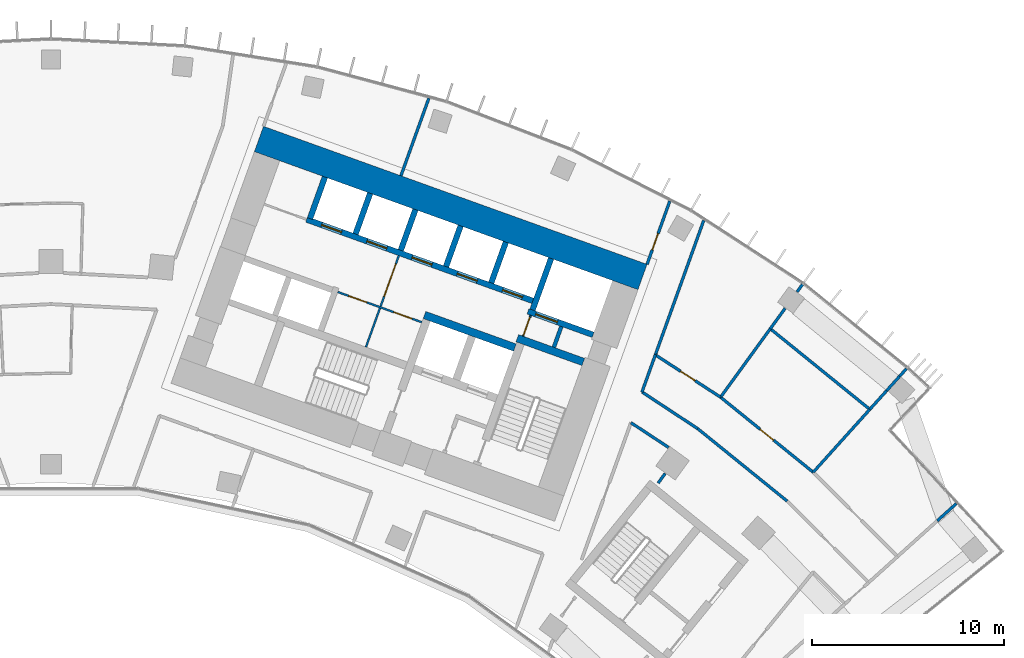
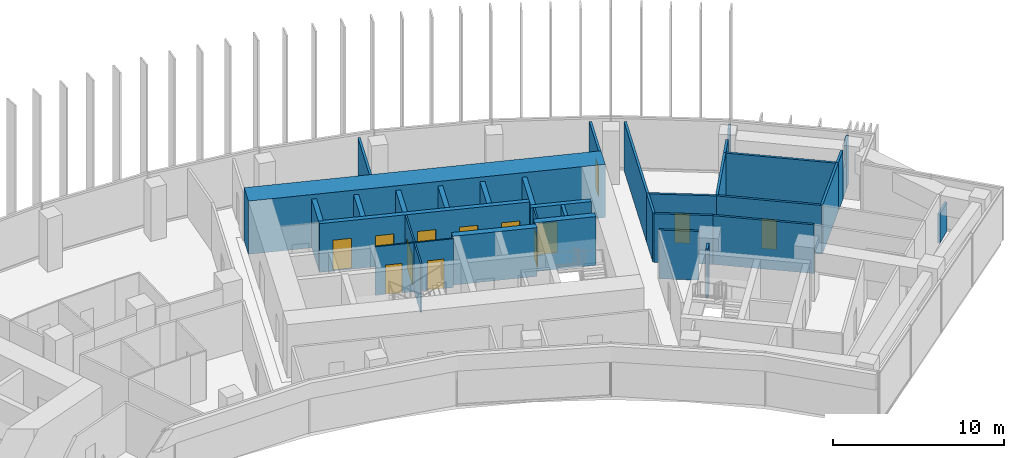
# One storey, part 20 of 23: 34 walls, 13 doors, 13 openings.
"""IFC4 building model written with IfcOpenShell, lengths in metres."""

from ifc_helpers import new_model, si_unit, direction, frame, frame_2d, origin, place, context, subcontext, project, spatial, rectangle, extrude, material, layer, layer_set, type_object, element, fill, save


model = new_model("IFC4")

# Units and contexts
model_context = context("Model", 3, precision=1e-05, world=origin(), true_north=direction((0.0, 1.0)))
body_context = subcontext(model_context, "Body", "Model", "MODEL_VIEW")
ifc_project = project(units=[si_unit("LENGTHUNIT", "METRE"), si_unit("AREAUNIT", "SQUARE_METRE"), si_unit("VOLUMEUNIT", "CUBIC_METRE"), si_unit("PLANEANGLEUNIT", "RADIAN"), si_unit("MASSUNIT", "GRAM", prefix="KILO")], contexts=[model_context])

# Site, building, storey
site_placement = place(None, origin())
site = spatial("IfcSite", under=ifc_project, at=site_placement, CompositionType="ELEMENT")
building_placement = place(site_placement, origin())
building = spatial("IfcBuilding", under=site, at=building_placement, Name="Stone Belt Terrace Tower", CompositionType="ELEMENT")
storey_placement = place(building_placement, frame((0.0, 0.0, 166.800048828125)))
storey = spatial("IfcBuildingStorey", under=building, at=storey_placement, Name="L40", CompositionType="ELEMENT", Elevation=166.800048828125)

# Wall, opening, door
ifc_material_1 = material(Name="Plasterboard partition")
ifc_layer_1 = layer(ifc_material_1, 0.10009765625)
ifc_layer_set_1 = layer_set([ifc_layer_1], Name="Core partition 100")
wall_type_1 = type_object("IfcWallType", Name="Core partition 100", PredefinedType="PARTITIONING", material=ifc_layer_set_1)
wall_1_placement = place(storey_placement, frame((24.555908203125, 51.10400390625, 0.0), z_axis=(0.0, 0.0, 1.0), x_axis=(0.338621735342, 0.94092258999, 0.0)))
wall_1 = element("IfcWall", 1, at=wall_1_placement, inside=storey, type_object=wall_type_1, Name="Core B wall", PredefinedType="PARTITIONING", context=body_context, shape_type="SweptSolid", body=[
    extrude(rectangle(XDim=1.14990234375, YDim=0.10009765625, at=frame_2d((0.574951171875, 0.0))), origin(), (0.0, 0.0, 1.0), 3.47998046875),
])
opening_1_placement = place(wall_1_placement, frame((0.050048828125, 0.0, 0.0)))
opening_1 = element("IfcOpeningElement", 2, at=opening_1_placement, cuts=wall_1, Name="Opening L40-C18", PredefinedType="OPENING", context=body_context, shape_type="SweptSolid", body=[
    extrude(rectangle(XDim=1.0, YDim=2.10009765625, at=frame_2d((0.5, 1.050048828125))), frame((0.0, 0.06005859375, 0.0), z_axis=(0.0, -1.0, 0.0), x_axis=(1.0, 0.0, 0.0)), (0.0, 0.0, 1.0), 0.1201171875),
])
ifc_material_2 = material(Name="Timber door leaf", Category="wood")
door_type_1 = type_object("IfcDoorType", Name="Core room door 1000", OperationType="SINGLE_SWING_LEFT", PredefinedType="DOOR", material=ifc_material_2)
door_1_placement = place(opening_1_placement, origin())
door_1 = element("IfcDoor", 3, at=door_1_placement, inside=storey, type_object=door_type_1, Name="Service lift lobby door core B", OperationType="SINGLE_SWING_RIGHT", OverallHeight=2.10009765625, OverallWidth=1.0, PredefinedType="DOOR", context=body_context, shape_type="SweptSolid", body=[
    extrude(rectangle(XDim=1.0, YDim=2.10009765625, at=frame_2d((0.5, 1.050048828125))), frame((0.0, 0.02490234375, 0.0), z_axis=(0.0, -1.0, 0.0), x_axis=(1.0, 0.0, 0.0)), (0.0, 0.0, 1.0), 0.050048828125),
])
fill(opening_1, door_1)

# Wall, openings, doors
wall_2_placement = place(storey_placement, frame((19.29052734375, 51.829833984375, 0.0), z_axis=(0.0, 0.0, 1.0), x_axis=(-0.940930240745, 0.338600475563, 0.0)))
wall_2 = element("IfcWall", 4, at=wall_2_placement, inside=storey, type_object=wall_type_1, Name="Core B wall", PredefinedType="PARTITIONING", context=body_context, shape_type="SweptSolid", body=[
    extrude(rectangle(XDim=4.64990234375, YDim=0.10009765625, at=frame_2d((2.324951171875, 0.0))), origin(), (0.0, 0.0, 1.0), 3.47998046875),
])
opening_2_placement = place(wall_2_placement, frame((0.550048828125, 0.0, 0.0)))
opening_2 = element("IfcOpeningElement", 5, at=opening_2_placement, cuts=wall_2, Name="Opening L40-C15", PredefinedType="OPENING", context=body_context, shape_type="SweptSolid", body=[
    extrude(rectangle(XDim=1.0, YDim=2.10009765625, at=frame_2d((0.5, 1.050048828125))), frame((0.0, 0.06005859375, 0.0), z_axis=(0.0, -1.0, 0.0), x_axis=(1.0, 0.0, 0.0)), (0.0, 0.0, 1.0), 0.1201171875),
])
opening_3_placement = place(wall_2_placement, frame((3.050048828125, 0.0, 0.0)))
opening_3 = element("IfcOpeningElement", 6, at=opening_3_placement, cuts=wall_2, Name="Opening L40-C16", PredefinedType="OPENING", context=body_context, shape_type="SweptSolid", body=[
    extrude(rectangle(XDim=1.0, YDim=2.10009765625, at=frame_2d((0.5, 1.050048828125))), frame((0.0, 0.06005859375, 0.0), z_axis=(0.0, -1.0, 0.0), x_axis=(1.0, 0.0, 0.0)), (0.0, 0.0, 1.0), 0.1201171875),
])
door_2_placement = place(opening_2_placement, origin())
door_2 = element("IfcDoor", 7, at=door_2_placement, inside=storey, type_object=door_type_1, Name="Door to Meeting store core B", OperationType="SINGLE_SWING_RIGHT", OverallHeight=2.10009765625, OverallWidth=1.0, PredefinedType="DOOR", context=body_context, shape_type="SweptSolid", body=[
    extrude(rectangle(XDim=1.0, YDim=2.10009765625, at=frame_2d((0.5, 1.050048828125))), frame((0.0, 0.02490234375, 0.0), z_axis=(0.0, -1.0, 0.0), x_axis=(1.0, 0.0, 0.0)), (0.0, 0.0, 1.0), 0.050048828125),
])
fill(opening_2, door_2)
door_3_placement = place(opening_3_placement, origin())
door_3 = element("IfcDoor", 8, at=door_3_placement, inside=storey, type_object=door_type_1, Name="Door to Staff pantry core B", OperationType="SINGLE_SWING_LEFT", OverallHeight=2.10009765625, OverallWidth=1.0, PredefinedType="DOOR", context=body_context, shape_type="SweptSolid", body=[
    extrude(rectangle(XDim=1.0, YDim=2.10009765625, at=frame_2d((0.5, 1.050048828125))), frame((0.0, 0.02490234375, 0.0), z_axis=(0.0, -1.0, 0.0), x_axis=(1.0, 0.0, 0.0)), (0.0, 0.0, 1.0), 0.050048828125),
])
fill(opening_3, door_3)

# Wall, opening, door
wall_3_placement = place(storey_placement, frame((16.38134765625, 50.53857421875, 0.0), z_axis=(0.0, 0.0, 1.0), x_axis=(0.33860476744, 0.940928696271, 0.0)))
wall_3 = element("IfcWall", 9, at=wall_3_placement, inside=storey, type_object=wall_type_1, Name="Core B wall", PredefinedType="PARTITIONING", context=body_context, shape_type="SweptSolid", body=[
    extrude(rectangle(XDim=5.050048828125, YDim=0.10009765625, at=frame_2d((2.52490234375, 0.0))), origin(), (0.0, 0.0, 1.0), 3.47998046875),
])
opening_4_placement = place(wall_3_placement, frame((2.800048828125, 0.0, 0.0)))
opening_4 = element("IfcOpeningElement", 10, at=opening_4_placement, cuts=wall_3, Name="Opening L40-C19", PredefinedType="OPENING", context=body_context, shape_type="SweptSolid", body=[
    extrude(rectangle(XDim=1.800048828125, YDim=2.10009765625, at=frame_2d((0.89990234375, 1.050048828125))), frame((0.0, 0.06005859375, 0.0), z_axis=(0.0, -1.0, 0.0), x_axis=(1.0, 0.0, 0.0)), (0.0, 0.0, 1.0), 0.1201171875),
])
ifc_material_3 = material(Name="Glazed aluminium door leaf", Category="aluminium")
door_type_2 = type_object("IfcDoorType", Name="Lift lobby entrance door 1800", OperationType="DOUBLE_DOOR_SINGLE_SWING", PredefinedType="DOOR", material=ifc_material_3)
door_4_placement = place(opening_4_placement, origin())
door_4 = element("IfcDoor", 11, at=door_4_placement, inside=storey, type_object=door_type_2, Name="Lift lobby double door core B", OperationType="DOUBLE_DOOR_SINGLE_SWING", OverallHeight=2.10009765625, OverallWidth=1.800048828125, PredefinedType="DOOR", context=body_context, shape_type="SweptSolid", body=[
    extrude(rectangle(XDim=1.800048828125, YDim=2.10009765625, at=frame_2d((0.89990234375, 1.050048828125))), frame((0.0, 0.02490234375, 0.0), z_axis=(0.0, -1.0, 0.0), x_axis=(1.0, 0.0, 0.0)), (0.0, 0.0, 1.0), 0.050048828125),
])
fill(opening_4, door_4)

# Walls
ifc_material_4 = material(Name="Concrete B80", Category="concrete")
ifc_layer_2 = layer(ifc_material_4, 1.39990234375)
ifc_layer_set_2 = layer_set([ifc_layer_2], Name="Core wall 1400 B80")
wall_type_2 = type_object("IfcWallType", Name="Core wall 1400 B80", PredefinedType="SHEAR", material=ifc_layer_set_2)
wall_4_placement = place(storey_placement, frame((10.81787109375, 61.362060546875, 0.0), z_axis=(0.0, 0.0, 1.0), x_axis=(0.940919704758, -0.338629752382, 0.0)))
element("IfcWall", 12, at=wall_4_placement, inside=storey, type_object=wall_type_2, Name="Core B wall convex L40", PredefinedType="SHEAR", context=body_context, shape_type="SweptSolid", body=[
    extrude(rectangle(XDim=21.199951171875, YDim=1.39990234375, at=frame_2d((10.60009765625, 0.0))), origin(), (0.0, 0.0, 1.0), 3.800048828125),
])
ifc_layer_3 = layer(ifc_material_4, 0.39990234375)
ifc_layer_set_3 = layer_set([ifc_layer_3], Name="Fire-fighting lift shaft wall 400")
wall_type_3 = type_object("IfcWallType", Name="Fire-fighting lift shaft wall 400", PredefinedType="SHEAR", material=ifc_layer_set_3)
wall_5_placement = place(storey_placement, frame((24.130615234375, 50.512939453125, 0.0), z_axis=(0.0, 0.0, 1.0), x_axis=(-0.94091168377, 0.338652038744, 0.0)))
element("IfcWall", 13, at=wall_5_placement, inside=storey, type_object=wall_type_3, Name="Core B wall", PredefinedType="SHEAR", context=body_context, shape_type="SweptSolid", body=[
    extrude(rectangle(XDim=5.000244140625, YDim=0.39990234375, at=frame_2d((2.5, 0.0))), origin(), (0.0, 0.0, 1.0), 3.47998046875),
])

# Wall, opening, door
ifc_layer_4 = layer(ifc_material_4, 0.300048828125)
ifc_layer_set_4 = layer_set([ifc_layer_4], Name="Lift shaft wall 300")
wall_type_4 = type_object("IfcWallType", Name="Lift shaft wall 300", PredefinedType="SHEAR", material=ifc_layer_set_4)
wall_6_placement = place(storey_placement, frame((28.195068359375, 51.17578125, 0.0), z_axis=(0.0, 0.0, 1.0), x_axis=(-0.940901243567, 0.338681044427, 0.0)))
wall_6 = element("IfcWall", 14, at=wall_6_placement, inside=storey, type_object=wall_type_4, Name="Core B wall", PredefinedType="SHEAR", context=body_context, shape_type="SweptSolid", body=[
    extrude(rectangle(XDim=3.599853515625, YDim=0.300048828125, at=frame_2d((1.7998046875, 0.0))), origin(), (0.0, 0.0, 1.0), 3.47998046875),
])
opening_5_placement = place(wall_6_placement, frame((1.969970703125, 0.0, 0.0)))
opening_5 = element("IfcOpeningElement", 15, at=opening_5_placement, cuts=wall_6, Name="Opening L40-LD16", PredefinedType="OPENING", context=body_context, shape_type="SweptSolid", body=[
    extrude(rectangle(XDim=1.199951171875, YDim=2.199951171875, at=frame_2d((0.60009765625, 1.10009765625))), frame((0.0, 0.159912109375, 0.0), z_axis=(0.0, -1.0, 0.0), x_axis=(1.0, 0.0, 0.0)), (0.0, 0.0, 1.0), 0.320068359375),
])
ifc_material_5 = material(Name="Stainless steel door leaf", Category="steel")
door_type_3 = type_object("IfcDoorType", Name="Landing door 1200", OperationType="SLIDING_TO_LEFT", PredefinedType="DOOR", material=ifc_material_5)
door_5_placement = place(opening_5_placement, origin())
door_5 = element("IfcDoor", 16, at=door_5_placement, inside=storey, type_object=door_type_3, Name="Landing door SV1 core B", OperationType="SLIDING_TO_LEFT", OverallHeight=2.199951171875, OverallWidth=1.199951171875, PredefinedType="DOOR", context=body_context, shape_type="SweptSolid", body=[
    extrude(rectangle(XDim=1.199951171875, YDim=2.199951171875, at=frame_2d((0.60009765625, 1.10009765625))), frame((0.0, 0.02490234375, 0.0), z_axis=(0.0, -1.0, 0.0), x_axis=(1.0, 0.0, 0.0)), (0.0, 0.0, 1.0), 0.050048828125),
])
fill(opening_5, door_5)

# Wall
wall_7_placement = place(storey_placement, frame((25.046875, 52.46826171875, 0.0), z_axis=(0.0, 0.0, 1.0), x_axis=(0.338549588058, 0.940948551423, 0.0)))
element("IfcWall", 17, at=wall_7_placement, inside=storey, type_object=wall_type_4, Name="Core B wall", PredefinedType="SHEAR", context=body_context, shape_type="SweptSolid", body=[
    extrude(rectangle(XDim=2.849853515625, YDim=0.300048828125, at=frame_2d((1.4248046875, 0.0))), origin(), (0.0, 0.0, 1.0), 3.47998046875),
])

# Wall, openings, doors
wall_8_placement = place(storey_placement, frame((25.05810546875, 52.9423828125, 0.0), z_axis=(0.0, 0.0, 1.0), x_axis=(-0.940920770291, 0.338626791666, 0.0)))
wall_8 = element("IfcWall", 18, at=wall_8_placement, inside=storey, type_object=wall_type_4, Name="Core B wall", PredefinedType="SHEAR", context=body_context, shape_type="SweptSolid", body=[
    extrude(rectangle(XDim=12.500244140625, YDim=0.300048828125, at=frame_2d((6.25, 0.0))), origin(), (0.0, 0.0, 1.0), 3.47998046875),
])
opening_6_placement = place(wall_8_placement, frame((0.570068359375, 0.0, 0.0)))
opening_6 = element("IfcOpeningElement", 19, at=opening_6_placement, cuts=wall_8, Name="Opening L40-LD09", PredefinedType="OPENING", context=body_context, shape_type="SweptSolid", body=[
    extrude(rectangle(XDim=1.10009765625, YDim=2.199951171875, at=frame_2d((0.550048828125, 1.10009765625))), frame((0.0, 0.159912109375, 0.0), z_axis=(0.0, -1.0, 0.0), x_axis=(1.0, 0.0, 0.0)), (0.0, 0.0, 1.0), 0.320068359375),
])
opening_7_placement = place(wall_8_placement, frame((3.070068359375, 0.0, 0.0)))
opening_7 = element("IfcOpeningElement", 20, at=opening_7_placement, cuts=wall_8, Name="Opening L40-LD10", PredefinedType="OPENING", context=body_context, shape_type="SweptSolid", body=[
    extrude(rectangle(XDim=1.10009765625, YDim=2.199951171875, at=frame_2d((0.550048828125, 1.10009765625))), frame((0.0, 0.159912109375, 0.0), z_axis=(0.0, -1.0, 0.0), x_axis=(1.0, 0.0, 0.0)), (0.0, 0.0, 1.0), 0.320068359375),
])
opening_8_placement = place(wall_8_placement, frame((5.570068359375, 0.0, 0.0)))
opening_8 = element("IfcOpeningElement", 21, at=opening_8_placement, cuts=wall_8, Name="Opening L40-LD11", PredefinedType="OPENING", context=body_context, shape_type="SweptSolid", body=[
    extrude(rectangle(XDim=1.10009765625, YDim=2.199951171875, at=frame_2d((0.550048828125, 1.10009765625))), frame((0.0, 0.159912109375, 0.0), z_axis=(0.0, -1.0, 0.0), x_axis=(1.0, 0.0, 0.0)), (0.0, 0.0, 1.0), 0.320068359375),
])
opening_9_placement = place(wall_8_placement, frame((8.070068359375, 0.0, 0.0)))
opening_9 = element("IfcOpeningElement", 22, at=opening_9_placement, cuts=wall_8, Name="Opening L40-LD12", PredefinedType="OPENING", context=body_context, shape_type="SweptSolid", body=[
    extrude(rectangle(XDim=1.10009765625, YDim=2.199951171875, at=frame_2d((0.550048828125, 1.10009765625))), frame((0.0, 0.159912109375, 0.0), z_axis=(0.0, -1.0, 0.0), x_axis=(1.0, 0.0, 0.0)), (0.0, 0.0, 1.0), 0.320068359375),
])
opening_10_placement = place(wall_8_placement, frame((10.570068359375, 0.0, 0.0)))
opening_10 = element("IfcOpeningElement", 23, at=opening_10_placement, cuts=wall_8, Name="Opening L40-LD13", PredefinedType="OPENING", context=body_context, shape_type="SweptSolid", body=[
    extrude(rectangle(XDim=1.10009765625, YDim=2.199951171875, at=frame_2d((0.550048828125, 1.10009765625))), frame((0.0, 0.159912109375, 0.0), z_axis=(0.0, -1.0, 0.0), x_axis=(1.0, 0.0, 0.0)), (0.0, 0.0, 1.0), 0.320068359375),
])
door_type_4 = type_object("IfcDoorType", Name="Landing door 1100", OperationType="SLIDING_TO_LEFT", PredefinedType="DOOR", material=ifc_material_5)
door_6_placement = place(opening_6_placement, origin())
door_6 = element("IfcDoor", 24, at=door_6_placement, inside=storey, type_object=door_type_4, Name="Landing door MR1 core B", OperationType="SLIDING_TO_LEFT", OverallHeight=2.199951171875, OverallWidth=1.10009765625, PredefinedType="DOOR", context=body_context, shape_type="SweptSolid", body=[
    extrude(rectangle(XDim=1.10009765625, YDim=2.199951171875, at=frame_2d((0.550048828125, 1.10009765625))), frame((0.0, 0.02490234375, 0.0), z_axis=(0.0, -1.0, 0.0), x_axis=(1.0, 0.0, 0.0)), (0.0, 0.0, 1.0), 0.050048828125),
])
fill(opening_6, door_6)
door_7_placement = place(opening_7_placement, origin())
door_7 = element("IfcDoor", 25, at=door_7_placement, inside=storey, type_object=door_type_4, Name="Landing door MR2 core B", OperationType="SLIDING_TO_LEFT", OverallHeight=2.199951171875, OverallWidth=1.10009765625, PredefinedType="DOOR", context=body_context, shape_type="SweptSolid", body=[
    extrude(rectangle(XDim=1.10009765625, YDim=2.199951171875, at=frame_2d((0.550048828125, 1.10009765625))), frame((0.0, 0.02490234375, 0.0), z_axis=(0.0, -1.0, 0.0), x_axis=(1.0, 0.0, 0.0)), (0.0, 0.0, 1.0), 0.050048828125),
])
fill(opening_7, door_7)
door_8_placement = place(opening_8_placement, origin())
door_8 = element("IfcDoor", 26, at=door_8_placement, inside=storey, type_object=door_type_4, Name="Landing door MR3 core B", OperationType="SLIDING_TO_LEFT", OverallHeight=2.199951171875, OverallWidth=1.10009765625, PredefinedType="DOOR", context=body_context, shape_type="SweptSolid", body=[
    extrude(rectangle(XDim=1.10009765625, YDim=2.199951171875, at=frame_2d((0.550048828125, 1.10009765625))), frame((0.0, 0.02490234375, 0.0), z_axis=(0.0, -1.0, 0.0), x_axis=(1.0, 0.0, 0.0)), (0.0, 0.0, 1.0), 0.050048828125),
])
fill(opening_8, door_8)
door_9_placement = place(opening_9_placement, origin())
door_9 = element("IfcDoor", 27, at=door_9_placement, inside=storey, type_object=door_type_4, Name="Landing door MR4 core B", OperationType="SLIDING_TO_LEFT", OverallHeight=2.199951171875, OverallWidth=1.10009765625, PredefinedType="DOOR", context=body_context, shape_type="SweptSolid", body=[
    extrude(rectangle(XDim=1.10009765625, YDim=2.199951171875, at=frame_2d((0.550048828125, 1.10009765625))), frame((0.0, 0.02490234375, 0.0), z_axis=(0.0, -1.0, 0.0), x_axis=(1.0, 0.0, 0.0)), (0.0, 0.0, 1.0), 0.050048828125),
])
fill(opening_9, door_9)
door_10_placement = place(opening_10_placement, origin())
door_10 = element("IfcDoor", 28, at=door_10_placement, inside=storey, type_object=door_type_4, Name="Landing door MR5 core B", OperationType="SLIDING_TO_LEFT", OverallHeight=2.199951171875, OverallWidth=1.10009765625, PredefinedType="DOOR", context=body_context, shape_type="SweptSolid", body=[
    extrude(rectangle(XDim=1.10009765625, YDim=2.199951171875, at=frame_2d((0.550048828125, 1.10009765625))), frame((0.0, 0.02490234375, 0.0), z_axis=(0.0, -1.0, 0.0), x_axis=(1.0, 0.0, 0.0)), (0.0, 0.0, 1.0), 0.050048828125),
])
fill(opening_10, door_10)

# Walls
wall_9_placement = place(storey_placement, frame((22.897705078125, 53.87939453125, 0.0), z_axis=(0.0, 0.0, 1.0), x_axis=(0.338535034312, 0.940953787677, 0.0)))
element("IfcWall", 29, at=wall_9_placement, inside=storey, type_object=wall_type_4, Name="Core B wall", PredefinedType="SHEAR", context=body_context, shape_type="SweptSolid", body=[
    extrude(rectangle(XDim=2.25, YDim=0.300048828125, at=frame_2d((1.125, 0.0))), origin(), (0.0, 0.0, 1.0), 3.47998046875),
])
wall_10_placement = place(storey_placement, frame((20.54541015625, 54.72607421875, 0.0), z_axis=(0.0, 0.0, 1.0), x_axis=(0.338569601369, 0.940941350472, 0.0)))
element("IfcWall", 30, at=wall_10_placement, inside=storey, type_object=wall_type_4, Name="Core B wall", PredefinedType="SHEAR", context=body_context, shape_type="SweptSolid", body=[
    extrude(rectangle(XDim=2.249755859375, YDim=0.300048828125, at=frame_2d((1.125, 0.0))), origin(), (0.0, 0.0, 1.0), 3.47998046875),
])
wall_11_placement = place(storey_placement, frame((18.193115234375, 55.572509765625, 0.0), z_axis=(0.0, 0.0, 1.0), x_axis=(0.338535034312, 0.940953787677, 0.0)))
element("IfcWall", 31, at=wall_11_placement, inside=storey, type_object=wall_type_4, Name="Core B wall", PredefinedType="SHEAR", context=body_context, shape_type="SweptSolid", body=[
    extrude(rectangle(XDim=2.25, YDim=0.300048828125, at=frame_2d((1.125, 0.0))), origin(), (0.0, 0.0, 1.0), 3.47998046875),
])
wall_12_placement = place(storey_placement, frame((15.8408203125, 56.419189453125, 0.0), z_axis=(0.0, 0.0, 1.0), x_axis=(0.338569601369, 0.940941350472, 0.0)))
element("IfcWall", 32, at=wall_12_placement, inside=storey, type_object=wall_type_4, Name="Core B wall", PredefinedType="SHEAR", context=body_context, shape_type="SweptSolid", body=[
    extrude(rectangle(XDim=2.249755859375, YDim=0.300048828125, at=frame_2d((1.125, 0.0))), origin(), (0.0, 0.0, 1.0), 3.47998046875),
])
wall_13_placement = place(storey_placement, frame((13.471435546875, 57.218505859375, 0.0), z_axis=(0.0, 0.0, 1.0), x_axis=(0.338587917, 0.940934759939, 0.0)))
element("IfcWall", 33, at=wall_13_placement, inside=storey, type_object=wall_type_4, Name="Core B wall", PredefinedType="SHEAR", context=body_context, shape_type="SweptSolid", body=[
    extrude(rectangle(XDim=2.300048828125, YDim=0.300048828125, at=frame_2d((1.14990234375, 0.0))), origin(), (0.0, 0.0, 1.0), 3.47998046875),
])

# Wall, opening, door
ifc_material_6 = material(Name="Gypsum board partition")
ifc_layer_5 = layer(ifc_material_6, 0.14990234375)
ifc_layer_set_5 = layer_set([ifc_layer_5], Name="PARTITION 150 EI 60")
wall_type_5 = type_object("IfcWallType", Name="PARTITION 150 EI 60", PredefinedType="PARTITIONING", material=ifc_layer_set_5)
wall_14_placement = place(storey_placement, frame((31.001953125, 54.842041015625, 0.0), z_axis=(0.0, 0.0, 1.0), x_axis=(0.338662585219, 0.940907887826, 0.0)))
wall_14 = element("IfcWall", 34, at=wall_14_placement, inside=storey, type_object=wall_type_5, Name="L40/wall/i028", PredefinedType="PARTITIONING", context=body_context, shape_type="SweptSolid", body=[
    extrude(rectangle(XDim=3.49560546875, YDim=0.14990234375, at=frame_2d((1.747802734375, 0.0))), origin(), (0.0, 0.0, 1.0), 3.47998046875),
])
opening_11_placement = place(wall_14_placement, frame((0.798828125, 0.0, 0.0)))
opening_11 = element("IfcOpeningElement", 35, at=opening_11_placement, cuts=wall_14, Name="Opening D-C2-11", PredefinedType="OPENING", context=body_context, shape_type="SweptSolid", body=[
    extrude(rectangle(XDim=0.89990234375, YDim=2.10009765625, at=frame_2d((0.449951171875, 1.050048828125))), frame((0.0, 0.0849609375, 0.0), z_axis=(0.0, -1.0, 0.0), x_axis=(1.0, 0.0, 0.0)), (0.0, 0.0, 1.0), 0.169921875),
])
door_type_5 = type_object("IfcDoorType", Name="OFFICE DOOR 900 X 2100", OperationType="NOTDEFINED", PredefinedType="DOOR", material=ifc_material_2)
door_11_placement = place(opening_11_placement, origin())
door_11 = element("IfcDoor", 36, at=door_11_placement, inside=storey, type_object=door_type_5, Name="L40/door/i11", OperationType="SINGLE_SWING_LEFT", OverallHeight=2.10009765625, OverallWidth=0.89990234375, PredefinedType="DOOR", context=body_context, shape_type="SweptSolid", body=[
    extrude(rectangle(XDim=0.89990234375, YDim=2.10009765625, at=frame_2d((0.449951171875, 1.050048828125))), frame((0.0, 0.02490234375, 0.0), z_axis=(0.0, -1.0, 0.0), x_axis=(1.0, 0.0, 0.0)), (0.0, 0.0, 1.0), 0.050048828125),
])
fill(opening_11, door_11)

# Walls
wall_15_placement = place(storey_placement, frame((31.43603515625, 50.139892578125, 0.0), z_axis=(0.0, 0.0, 1.0), x_axis=(-0.338522672426, -0.940958235127, 0.0)))
element("IfcWall", 37, at=wall_15_placement, inside=storey, type_object=wall_type_5, Name="L40/wall/i032", PredefinedType="PARTITIONING", context=body_context, shape_type="SweptSolid", body=[
    extrude(rectangle(XDim=2.064697265625, YDim=0.14990234375, at=frame_2d((1.0322265625, 0.0))), origin(), (0.0, 0.0, 1.0), 3.47998046875),
])
wall_16_placement = place(storey_placement, frame((33.951904296875, 57.131103515625, 0.0), z_axis=(0.0, 0.0, 1.0), x_axis=(-0.338585885873, -0.940935490822, 0.0)))
element("IfcWall", 38, at=wall_16_placement, inside=storey, type_object=wall_type_5, Name="L40/wall/i033", PredefinedType="PARTITIONING", context=body_context, shape_type="SweptSolid", body=[
    extrude(rectangle(XDim=7.44287109375, YDim=0.14990234375, at=frame_2d((3.721435546875, 0.0))), origin(), (0.0, 0.0, 1.0), 3.47998046875),
])
wall_17_placement = place(storey_placement, frame((19.65478515625, 63.485107421875, 0.0), z_axis=(0.0, 0.0, 1.0), x_axis=(-0.338693268504, -0.940896843373, 0.0)))
element("IfcWall", 39, at=wall_17_placement, inside=storey, type_object=wall_type_5, Name="L40/wall/i041", PredefinedType="PARTITIONING", context=body_context, shape_type="SweptSolid", body=[
    extrude(rectangle(XDim=4.28955078125, YDim=0.14990234375, at=frame_2d((2.144775390625, 0.0))), origin(), (0.0, 0.0, 1.0), 3.47998046875),
])
wall_18_placement = place(storey_placement, frame((46.095458984375, 41.5048828125, 0.0), z_axis=(0.0, 0.0, 1.0), x_axis=(0.743212199867, 0.669055771942, 0.0)))
element("IfcWall", 40, at=wall_18_placement, inside=storey, type_object=wall_type_5, Name="L40/wall/i064-2", PredefinedType="PARTITIONING", context=body_context, shape_type="SweptSolid", body=[
    extrude(rectangle(XDim=1.333251953125, YDim=0.14990234375, at=frame_2d((0.66650390625, 0.0))), origin(), (0.0, 0.0, 1.0), 2.079833984375),
])
wall_19_placement = place(storey_placement, frame((31.580078125, 43.466064453125, 0.0), z_axis=(0.0, 0.0, 1.0), x_axis=(0.58798371838, 0.808872763121, 0.0)))
element("IfcWall", 41, at=wall_19_placement, inside=storey, type_object=wall_type_5, Name="L40/wall/i065", PredefinedType="PARTITIONING", context=body_context, shape_type="SweptSolid", body=[
    extrude(rectangle(XDim=0.617919921875, YDim=0.14990234375, at=frame_2d((0.30908203125, 0.0))), origin(), (0.0, 0.0, 1.0), 3.47998046875),
])
wall_20_placement = place(storey_placement, frame((32.1181640625, 45.321044921875, 0.0), z_axis=(0.0, 0.0, 1.0), x_axis=(-0.835424653074, 0.549604993641, 0.0)))
element("IfcWall", 42, at=wall_20_placement, inside=storey, type_object=wall_type_5, Name="L40/wall/i066", PredefinedType="PARTITIONING", context=body_context, shape_type="SweptSolid", body=[
    extrude(rectangle(XDim=2.337890625, YDim=0.14990234375, at=frame_2d((1.1689453125, 0.0))), origin(), (0.0, 0.0, 1.0), 3.47998046875),
])
wall_21_placement = place(storey_placement, frame((30.739013671875, 48.202880859375, 0.0), z_axis=(0.0, 0.0, 1.0), x_axis=(0.835274160171, -0.549833681535, 0.0)))
element("IfcWall", 43, at=wall_21_placement, inside=storey, type_object=wall_type_5, Name="L40/wall/i068", PredefinedType="PARTITIONING", context=body_context, shape_type="SweptSolid", body=[
    extrude(rectangle(XDim=3.46826171875, YDim=0.14990234375, at=frame_2d((1.734130859375, 0.0))), origin(), (0.0, 0.0, 1.0), 3.47998046875),
])
wall_22_placement = place(storey_placement, frame((33.635986328125, 46.2958984375, 0.0), z_axis=(0.0, 0.0, 1.0), x_axis=(0.77714422733, -0.629322532513, 0.0)))
element("IfcWall", 44, at=wall_22_placement, inside=storey, type_object=wall_type_5, Name="L40/wall/i069", PredefinedType="PARTITIONING", context=body_context, shape_type="SweptSolid", body=[
    extrude(rectangle(XDim=5.98876953125, YDim=0.14990234375, at=frame_2d((2.994384765625, 0.0))), origin(), (0.0, 0.0, 1.0), 3.47998046875),
])

# Wall, opening, door
wall_23_placement = place(storey_placement, frame((31.43408203125, 50.134033203125, 0.0), z_axis=(0.0, 0.0, 1.0), x_axis=(0.838660143757, -0.544655086521, 0.0)))
wall_23 = element("IfcWall", 45, at=wall_23_placement, inside=storey, type_object=wall_type_5, Name="L40/wall/i074", PredefinedType="PARTITIONING", context=body_context, shape_type="SweptSolid", body=[
    extrude(rectangle(XDim=4.043212890625, YDim=0.14990234375, at=frame_2d((2.021484375, 0.0))), origin(), (0.0, 0.0, 1.0), 3.47998046875),
])
opening_12_placement = place(wall_23_placement, frame((1.571533203125, 0.0, 0.0)))
opening_12 = element("IfcOpeningElement", 46, at=opening_12_placement, cuts=wall_23, Name="Opening D-C2-24", PredefinedType="OPENING", context=body_context, shape_type="SweptSolid", body=[
    extrude(rectangle(XDim=0.89990234375, YDim=2.10009765625, at=frame_2d((0.449951171875, 1.050048828125))), frame((0.0, 0.0849609375, 0.0), z_axis=(0.0, -1.0, 0.0), x_axis=(1.0, 0.0, 0.0)), (0.0, 0.0, 1.0), 0.169921875),
])
door_12_placement = place(opening_12_placement, origin())
door_12 = element("IfcDoor", 47, at=door_12_placement, inside=storey, type_object=door_type_5, Name="L40/door/i24", OperationType="SINGLE_SWING_RIGHT", OverallHeight=2.10009765625, OverallWidth=0.89990234375, PredefinedType="DOOR", context=body_context, shape_type="SweptSolid", body=[
    extrude(rectangle(XDim=0.89990234375, YDim=2.10009765625, at=frame_2d((0.449951171875, 1.050048828125))), frame((0.0, 0.02490234375, 0.0), z_axis=(0.0, -1.0, 0.0), x_axis=(1.0, 0.0, 0.0)), (0.0, 0.0, 1.0), 0.050048828125),
])
fill(opening_12, door_12)

wall_24_placement = place(storey_placement, frame((34.824951171875, 47.931884765625, 0.0), z_axis=(0.0, 0.0, 1.0), x_axis=(0.777190769916, -0.629265053184, 0.0)))
wall_24 = element("IfcWall", 48, at=wall_24_placement, inside=storey, type_object=wall_type_5, Name="L40/wall/i075", PredefinedType="PARTITIONING", context=body_context, shape_type="SweptSolid", body=[
    extrude(rectangle(XDim=6.20068359375, YDim=0.14990234375, at=frame_2d((3.100341796875, 0.0))), origin(), (0.0, 0.0, 1.0), 3.47998046875),
])
opening_13_placement = place(wall_24_placement, frame((2.650390625, 0.0, 0.0)))
opening_13 = element("IfcOpeningElement", 49, at=opening_13_placement, cuts=wall_24, Name="Opening D-C2-25", PredefinedType="OPENING", context=body_context, shape_type="SweptSolid", body=[
    extrude(rectangle(XDim=0.89990234375, YDim=2.10009765625, at=frame_2d((0.449951171875, 1.050048828125))), frame((0.0, 0.0849609375, 0.0), z_axis=(0.0, -1.0, 0.0), x_axis=(1.0, 0.0, 0.0)), (0.0, 0.0, 1.0), 0.169921875),
])
door_13_placement = place(opening_13_placement, origin())
door_13 = element("IfcDoor", 50, at=door_13_placement, inside=storey, type_object=door_type_5, Name="L40/door/i25", OperationType="SINGLE_SWING_RIGHT", OverallHeight=2.10009765625, OverallWidth=0.89990234375, PredefinedType="DOOR", context=body_context, shape_type="SweptSolid", body=[
    extrude(rectangle(XDim=0.89990234375, YDim=2.10009765625, at=frame_2d((0.449951171875, 1.050048828125))), frame((0.0, 0.02490234375, 0.0), z_axis=(0.0, -1.0, 0.0), x_axis=(1.0, 0.0, 0.0)), (0.0, 0.0, 1.0), 0.050048828125),
])
fill(opening_13, door_13)

# Walls
wall_25_placement = place(storey_placement, frame((37.4140625, 51.4970703125, 0.0), z_axis=(0.0, 0.0, 1.0), x_axis=(-0.587614770506, -0.809140829203, 0.0)))
element("IfcWall", 51, at=wall_25_placement, inside=storey, type_object=wall_type_5, Name="L40/wall/i077", PredefinedType="PARTITIONING", context=body_context, shape_type="SweptSolid", body=[
    extrude(rectangle(XDim=4.40625, YDim=0.14990234375, at=frame_2d((2.203125, 0.0))), origin(), (0.0, 0.0, 1.0), 3.47998046875),
])
wall_26_placement = place(storey_placement, frame((39.087890625, 53.7998046875, 0.0), z_axis=(0.0, 0.0, 1.0), x_axis=(-0.588171697675, -0.808736084303, 0.0)))
element("IfcWall", 52, at=wall_26_placement, inside=storey, type_object=wall_type_5, Name="L40/wall/i078", PredefinedType="PARTITIONING", context=body_context, shape_type="SweptSolid", body=[
    extrude(rectangle(XDim=0.4814453125, YDim=0.14990234375, at=frame_2d((0.24072265625, 0.0))), origin(), (0.0, 0.0, 1.0), 3.47998046875),
])
wall_27_placement = place(storey_placement, frame((38.181640625, 52.552978515625, 0.0), z_axis=(0.0, 0.0, 1.0), x_axis=(-0.587896246037, -0.808936341065, 0.0)))
element("IfcWall", 53, at=wall_27_placement, inside=storey, type_object=wall_type_5, Name="L40/wall/i079", PredefinedType="PARTITIONING", context=body_context, shape_type="SweptSolid", body=[
    extrude(rectangle(XDim=1.317626953125, YDim=0.14990234375, at=frame_2d((0.65869140625, 0.0))), origin(), (0.0, 0.0, 1.0), 3.47998046875),
])
wall_28_placement = place(storey_placement, frame((37.410888671875, 51.491943359375, 0.0), z_axis=(0.0, 0.0, 1.0), x_axis=(0.777100621569, -0.629376377025, 0.0)))
element("IfcWall", 54, at=wall_28_placement, inside=storey, type_object=wall_type_5, Name="L40/wall/i080", PredefinedType="PARTITIONING", context=body_context, shape_type="SweptSolid", body=[
    extrude(rectangle(XDim=6.661865234375, YDim=0.14990234375, at=frame_2d((3.3310546875, 0.0))), origin(), (0.0, 0.0, 1.0), 3.47998046875),
])
wall_29_placement = place(storey_placement, frame((42.587890625, 47.299072265625, 0.0), z_axis=(0.0, 0.0, 1.0), x_axis=(-0.669179331895, -0.743100949915, 0.0)))
element("IfcWall", 55, at=wall_29_placement, inside=storey, type_object=wall_type_5, Name="L40/wall/i081", PredefinedType="PARTITIONING", context=body_context, shape_type="SweptSolid", body=[
    extrude(rectangle(XDim=4.399169921875, YDim=0.14990234375, at=frame_2d((2.19970703125, 0.0))), origin(), (0.0, 0.0, 1.0), 3.47998046875),
])
wall_30_placement = place(storey_placement, frame((44.496826171875, 49.41943359375, 0.0), z_axis=(0.0, 0.0, 1.0), x_axis=(-0.66891458545, -0.743339274741, 0.0)))
element("IfcWall", 56, at=wall_30_placement, inside=storey, type_object=wall_type_5, Name="L40/wall/i082-1", PredefinedType="PARTITIONING", context=body_context, shape_type="SweptSolid", body=[
    extrude(rectangle(XDim=0.5380859375, YDim=0.14990234375, at=frame_2d((0.26904296875, 0.0))), origin(), (0.0, 0.0, 1.0), 3.47998046875),
])
wall_31_placement = place(storey_placement, frame((44.136962890625, 49.01953125, 0.0), z_axis=(0.0, 0.0, 1.0), x_axis=(-0.669018337336, -0.743245897606, 0.0)))
element("IfcWall", 57, at=wall_31_placement, inside=storey, type_object=wall_type_5, Name="L40/wall/i082-2", PredefinedType="PARTITIONING", context=body_context, shape_type="SweptSolid", body=[
    extrude(rectangle(XDim=1.00634765625, YDim=0.14990234375, at=frame_2d((0.503173828125, 0.0))), origin(), (0.0, 0.0, 1.0), 2.079833984375),
])
wall_32_placement = place(storey_placement, frame((43.463623046875, 48.271484375, 0.0), z_axis=(0.0, 0.0, 1.0), x_axis=(-0.669201766704, -0.743080746245, 0.0)))
element("IfcWall", 58, at=wall_32_placement, inside=storey, type_object=wall_type_5, Name="L40/wall/i082-3", PredefinedType="PARTITIONING", context=body_context, shape_type="SweptSolid", body=[
    extrude(rectangle(XDim=1.30859375, YDim=0.14990234375, at=frame_2d((0.654296875, 0.0))), origin(), (0.0, 0.0, 1.0), 3.47998046875),
])
ifc_material_7 = material(Name="Concrete masonry block", Category="masonry")
ifc_layer_6 = layer(ifc_material_7, 0.199951171875)
ifc_layer_set_6 = layer_set([ifc_layer_6], Name="Rated lobby wall 200")
wall_type_6 = type_object("IfcWallType", Name="Rated lobby wall 200", PredefinedType="PARTITIONING", material=ifc_layer_set_6)
wall_33_placement = place(storey_placement, frame((26.1552734375, 50.5283203125, 0.0), z_axis=(0.0, 0.0, 1.0), x_axis=(0.338621735342, 0.94092258999, 0.0)))
element("IfcWall", 59, at=wall_33_placement, inside=storey, type_object=wall_type_6, Name="Core B wall", PredefinedType="PARTITIONING", context=body_context, shape_type="SweptSolid", body=[
    extrude(rectangle(XDim=1.14990234375, YDim=0.199951171875, at=frame_2d((0.574951171875, 0.0))), origin(), (0.0, 0.0, 1.0), 3.47998046875),
])
ifc_layer_7 = layer(ifc_material_4, 0.39990234375)
ifc_layer_set_7 = layer_set([ifc_layer_7], Name="Stair enclosure wall 400")
wall_type_7 = type_object("IfcWallType", Name="Stair enclosure wall 400", PredefinedType="SHEAR", material=ifc_layer_set_7)
wall_34_placement = place(storey_placement, frame((27.687255859375, 49.764404296875, 0.0), z_axis=(0.0, 0.0, 1.0), x_axis=(-0.940918954884, 0.338631835981, 0.0)))
element("IfcWall", 60, at=wall_34_placement, inside=storey, type_object=wall_type_7, Name="Core B wall", PredefinedType="SHEAR", context=body_context, shape_type="SweptSolid", body=[
    extrude(rectangle(XDim=3.650146484375, YDim=0.39990234375, at=frame_2d((1.8251953125, 0.0))), origin(), (0.0, 0.0, 1.0), 3.47998046875),
])

save(model, "model.ifc")
